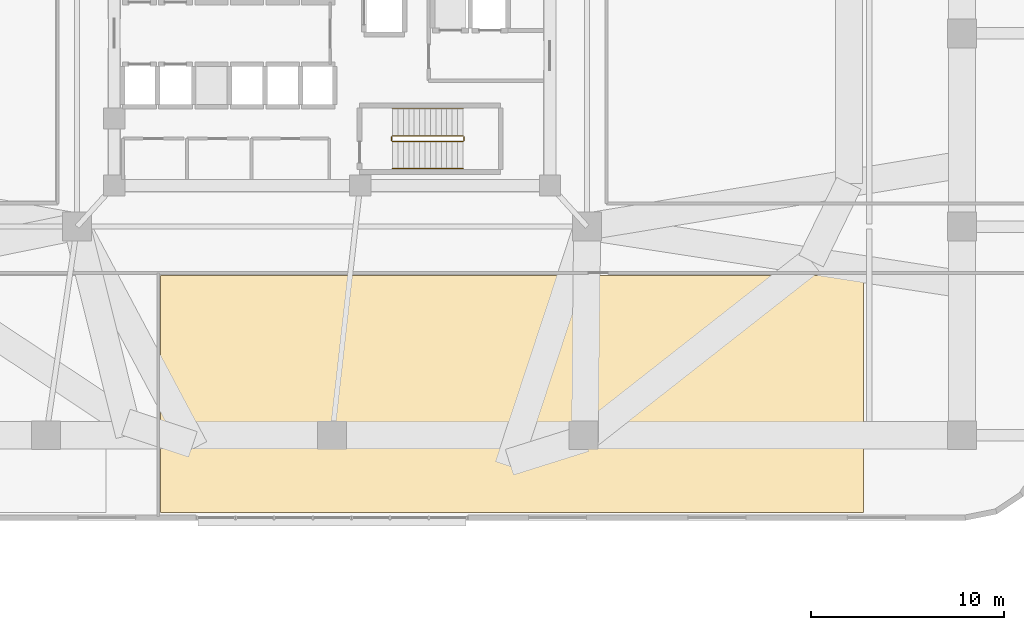
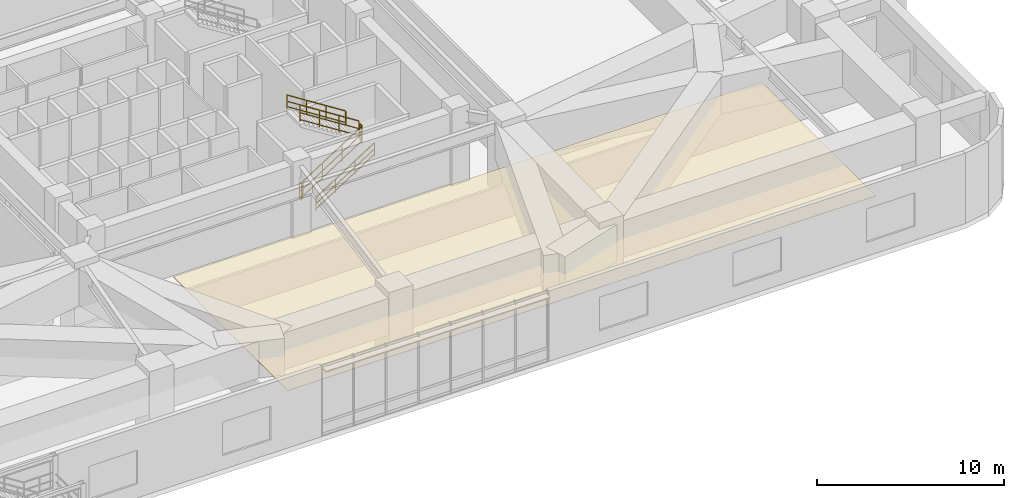
# One storey, part 23 of 26: 6 railings, 1 covering.
"""IFC4 building model written with IfcOpenShell, lengths in metres."""

import ifcopenshell
import ifcopenshell.guid

model = None  # the IFC model being written
_history = None  # IfcOwnerHistory: only IFC2X3 demands one
_inside = {}  # id of a spatial element -> (the spatial element, [elements in it])
_under = {}  # id of a project, library or spatial element -> (it, [spatial elements below it])
_declared = {}  # id of a project -> (the project, [libraries it declares])
_typed = {}  # id of a type object -> (the type object, [elements of that type])
_made_of = {}  # id of a material, layer set ... -> (it, [elements and type objects made of it])


def new_model(schema):
    """Start an empty IFC model of exactly this schema.

    Asked for "IFC4X3", IfcOpenShell would pick the latest addendum, in which some entities
    have other attributes; the version numbers below select the first issue.
    IFC2X3 requires an IfcOwnerHistory on every rooted entity: one is made here for all.
    """
    global model, _history
    if schema == "IFC4X3":
        model = ifcopenshell.file(schema_version=(4, 3, 0, 0))
    else:
        model = ifcopenshell.file(schema=schema)
    _inside.clear()
    _under.clear()
    _declared.clear()
    _typed.clear()
    _made_of.clear()
    _history = None
    if model.schema == "IFC2X3":
        org = make("IfcOrganization", Name="unknown")
        user = make(
            "IfcPersonAndOrganization",
            ThePerson=make("IfcPerson", FamilyName="unknown"),
            TheOrganization=org,
        )
        app = make(
            "IfcApplication",
            ApplicationDeveloper=org,
            Version="unknown",
            ApplicationFullName="unknown",
            ApplicationIdentifier="unknown",
        )
        _history = make(
            "IfcOwnerHistory",
            OwningUser=user,
            OwningApplication=app,
            ChangeAction="ADDED",
            CreationDate=0,
        )
    return model


def make(cls, **values):
    """One entity of the class cls with the attributes given. An attribute that is None is left unset."""
    return model.create_entity(
        cls, **{name: value for name, value in values.items() if value is not None}
    )


def rooted(cls, **values):
    """An entity with a GlobalId (a new one), such as an element, a storey or a relation."""
    return make(cls, GlobalId=ifcopenshell.guid.new(), OwnerHistory=_history, **values)


def si_unit(unit_type, name, prefix=None):
    """IfcSIUnit, for example si_unit("LENGTHUNIT", "METRE", prefix="MILLI")."""
    return make("IfcSIUnit", UnitType=unit_type, Prefix=prefix, Name=name)


def assignment(units):
    """IfcUnitAssignment: the units of a project."""
    return None if units is None else make("IfcUnitAssignment", Units=units)


def point(xyz):
    """IfcCartesianPoint."""
    return None if xyz is None else make("IfcCartesianPoint", Coordinates=xyz)


def direction(xyz):
    """IfcDirection."""
    return None if xyz is None else make("IfcDirection", DirectionRatios=xyz)


def frame(location, z_axis=None, x_axis=None):
    """IfcAxis2Placement3D, a coordinate frame: its origin and axes. An axis left out is left unset."""
    return make(
        "IfcAxis2Placement3D",
        Location=point(location),
        Axis=direction(z_axis),
        RefDirection=direction(x_axis),
    )


def frame_2d(location, x_axis=None):
    """IfcAxis2Placement2D, a coordinate frame in the plane: its origin and x axis."""
    return make(
        "IfcAxis2Placement2D", Location=point(location), RefDirection=direction(x_axis)
    )


def origin():
    """The frame at (0, 0, 0) with its axes left unset."""
    return frame((0.0, 0.0, 0.0))


def origin_2d():
    """The frame at (0, 0) in the plane with its x axis left unset."""
    return frame_2d((0.0, 0.0))


def place(relative_to, where):
    """IfcLocalPlacement: puts the frame where relative to a parent placement (None: the world)."""
    return make(
        "IfcLocalPlacement", PlacementRelTo=relative_to, RelativePlacement=where
    )


def context(
    kind, dimensions, precision=None, world=None, true_north=None, identifier=None
):
    """IfcGeometricRepresentationContext, for example the 3D "Model" context."""
    return make(
        "IfcGeometricRepresentationContext",
        ContextIdentifier=identifier,
        ContextType=kind,
        CoordinateSpaceDimension=dimensions,
        Precision=precision,
        WorldCoordinateSystem=world,
        TrueNorth=true_north,
    )


def subcontext(parent, identifier, kind, view, scale=None):
    """IfcGeometricRepresentationSubContext, for example "Body" below "Model"."""
    return make(
        "IfcGeometricRepresentationSubContext",
        ContextIdentifier=identifier,
        ContextType=kind,
        ParentContext=parent,
        TargetScale=scale,
        TargetView=view,
    )


def project(units=None, contexts=None):
    """IfcProject with its units and contexts."""
    return rooted(
        "IfcProject",
        Name="project",
        RepresentationContexts=contexts,
        UnitsInContext=assignment(units),
    )


def spatial(cls, under=None, at=None, **own):
    """A site, building, storey or space (cls), placed at a placement, below another one or the project."""
    s = rooted(cls, ObjectPlacement=at, **own)
    if under is not None:
        _under.setdefault(under.id(), (under, []))[1].append(s)
    return s


def polyline(points):
    """IfcPolyline through the points."""
    return make("IfcPolyline", Points=[point(p) for p in points])


def profile(cls, at=None, kind="AREA", **sizes):
    """A parametric profile (cls). Its sizes go by their IFC names, for example OverallWidth=200.0."""
    return make(cls, ProfileType=kind, Position=at, **sizes)


def rectangle(**sizes):
    """IfcRectangleProfileDef."""
    return profile("IfcRectangleProfileDef", **sizes)


def outline(outer, holes=None, kind="AREA"):
    """IfcArbitraryClosedProfileDef: a profile drawn as a closed curve; with holes, ...WithVoids."""
    if holes is None:
        return make("IfcArbitraryClosedProfileDef", ProfileType=kind, OuterCurve=outer)
    return make(
        "IfcArbitraryProfileDefWithVoids",
        ProfileType=kind,
        OuterCurve=outer,
        InnerCurves=holes,
    )


def extrude(swept, where, along, depth):
    """IfcExtrudedAreaSolid: the profile swept, set in the frame where, extruded along a direction by depth."""
    return make(
        "IfcExtrudedAreaSolid",
        SweptArea=swept,
        Position=where,
        ExtrudedDirection=direction(along),
        Depth=depth,
    )


def shape(context_of_items, identifier, shape_type, items):
    """IfcShapeRepresentation: the items that make up one representation, for example the "Body"."""
    return make(
        "IfcShapeRepresentation",
        ContextOfItems=context_of_items,
        RepresentationIdentifier=identifier,
        RepresentationType=shape_type,
        Items=items,
    )


def material(Name=None, Category=None):
    """IfcMaterial."""
    return make("IfcMaterial", Name=Name, Category=Category)


def layer(
    of_material, thickness, ventilated=None, Name=None, Category=None, Priority=None
):
    """IfcMaterialLayer: one layer of a wall or slab, of a material (None: an air gap)."""
    return make(
        "IfcMaterialLayer",
        Material=of_material,
        LayerThickness=thickness,
        IsVentilated=ventilated,
        Name=Name,
        Category=Category,
        Priority=Priority,
    )


def layer_set(layers, Name=None):
    """IfcMaterialLayerSet."""
    return make("IfcMaterialLayerSet", MaterialLayers=layers, LayerSetName=Name)


def made_of(thing, what):
    """Note that an element or type object is made of a material, layer set ...; save() writes the relation."""
    if what is not None:
        _made_of.setdefault(what.id(), (what, []))[1].append(thing)
    return thing


def type_object(cls, material=None, **own):
    """A type object (cls), such as IfcWallType, which elements share."""
    return made_of(rooted(cls, **own), material)


def element(
    cls,
    number,
    at=None,
    inside=None,
    cuts=None,
    type_object=None,
    material=None,
    context=None,
    identifier="Body",
    shape_type=None,
    held_by="IfcProductDefinitionShape",
    body=None,
    shapes=None,
    **own,
):
    """One element of the class cls, such as IfcWall. Its Tag is "e" and its number.

    at: its placement. inside: the storey or other place that contains it. cuts: it is an
    opening in that element (IfcRelVoidsElement). A single representation is given by context,
    identifier, shape_type and body (its items); several are given by shapes. held_by: the class
    of the entity that holds the representations. save() writes the other relations.
    """
    e = rooted(cls, Tag="e%d" % number, ObjectPlacement=at, **own)
    if body is not None:
        shapes = [shape(context, identifier, shape_type, body)]
    if shapes is not None:
        e.Representation = make(held_by, Representations=shapes)
    if inside is not None:
        _inside.setdefault(inside.id(), (inside, []))[1].append(e)
    if cuts is not None:
        rooted(
            "IfcRelVoidsElement", RelatingBuildingElement=cuts, RelatedOpeningElement=e
        )
    if type_object is not None:
        _typed.setdefault(type_object.id(), (type_object, []))[1].append(e)
    return made_of(e, material)


def aggregate(whole, parts):
    """IfcRelAggregates: a whole, such as a stair, and the parts it consists of."""
    return rooted("IfcRelAggregates", RelatingObject=whole, RelatedObjects=parts)


def save(model, path):
    """Write the relations noted so far, then the file.

    IfcRelAggregates (storeys below a building ...), IfcRelContainedInSpatialStructure (elements
    in a storey), IfcRelDefinesByType, IfcRelAssociatesMaterial and IfcRelDeclares: one each for
    every whole, place, type object, material and project.
    """
    for whole, parts in _under.values():
        aggregate(whole, parts)
    for where, things in _inside.values():
        rooted(
            "IfcRelContainedInSpatialStructure",
            RelatedElements=things,
            RelatingStructure=where,
        )
    for kind, things in _typed.values():
        rooted("IfcRelDefinesByType", RelatedObjects=things, RelatingType=kind)
    for what, things in _made_of.values():
        rooted("IfcRelAssociatesMaterial", RelatedObjects=things, RelatingMaterial=what)
    for by, libraries in _declared.values():
        rooted("IfcRelDeclares", RelatingContext=by, RelatedDefinitions=libraries)
    model.write(path)


model = new_model("IFC4")

# Units and contexts
model_context = context("Model", 3, precision=1e-05, world=origin(), true_north=direction((0.0, 1.0)))
body_context = subcontext(model_context, "Body", "Model", "MODEL_VIEW")
ifc_project = project(units=[si_unit("LENGTHUNIT", "METRE"), si_unit("AREAUNIT", "SQUARE_METRE"), si_unit("VOLUMEUNIT", "CUBIC_METRE"), si_unit("PLANEANGLEUNIT", "RADIAN"), si_unit("MASSUNIT", "GRAM", prefix="KILO")], contexts=[model_context])

# Site, building, storey
site_placement = place(None, origin())
site = spatial("IfcSite", under=ifc_project, at=site_placement, CompositionType="ELEMENT")
building_placement = place(site_placement, origin())
building = spatial("IfcBuilding", under=site, at=building_placement, Name="Zulverin Broadcast Headquarters", CompositionType="ELEMENT")
storey_placement = place(building_placement, frame((0.0, 0.0, 20.0)))
storey = spatial("IfcBuildingStorey", under=building, at=storey_placement, Name="L04", CompositionType="ELEMENT", Elevation=20.0)

# Covering
ifc_material_1 = material(Name="Perforated pale-metal acoustic baffle ceiling", Category="aluminium")
ifc_layer = layer(ifc_material_1, 0.0400390625, Name="Perforated pale-metal acoustic baffle ceiling", Category="aluminium")
ifc_layer_set = layer_set([ifc_layer], Name="Perforated pale-metal acoustic baffle ceiling")
covering_type = type_object("IfcCoveringType", Name="COV-CEIL-ACOU", PredefinedType="CEILING", material=ifc_layer_set)
covering_placement = place(storey_placement, frame((0.0, 0.0, 3.389892578125)))
element("IfcCovering", 1, at=covering_placement, inside=storey, type_object=covering_type, Name="L04 Acoustic Baffle Ceiling 02", PredefinedType="CEILING", context=body_context, shape_type="SweptSolid", body=[
    extrude(outline(polyline([(28.1201171875, 12.679931640625), (28.1201171875, 0.39990234375), (64.5, 0.39990234375), (64.5, 12.679931640625), (28.1201171875, 12.679931640625)])), origin(), (0.0, 0.0, 1.0), 0.0400390625),
])

# Railings
ifc_material_2 = material(Name="Painted galvanized steel tubular guardrail S355JR", Category="steel")
railing_type_1 = type_object("IfcRailingType", Name="RL-ST-GUARD", PredefinedType="GUARDRAIL", material=ifc_material_2)
railing_1_placement = place(storey_placement, frame((40.1298828125, 19.60009765625, 0.178466796875)))
element("IfcRailing", 2, at=railing_1_placement, inside=storey, type_object=railing_type_1, Name="L04 ST-2 stair guard 1", PredefinedType="GUARDRAIL", context=body_context, shape_type="SweptSolid", body=[
    extrude(rectangle(XDim=0.048095703125, YDim=0.048095703125, at=origin_2d()), frame((0.0, 0.0, 1.076171875), z_axis=(0.843127859045, 0.0, 0.537713132908), x_axis=(0.0, 1.0, 0.0)), (0.0, 0.0, 1.0), 4.3173828125),
    extrude(rectangle(XDim=0.0419921875, YDim=0.0419921875, at=origin_2d()), frame((0.0, 0.0, 0.572021484375), z_axis=(0.843127859045, 0.0, 0.537713132908), x_axis=(0.0, 1.0, 0.0)), (0.0, 0.0, 1.0), 4.3173828125),
    extrude(rectangle(XDim=0.0419921875, YDim=0.0419921875, at=origin_2d()), frame((0.0, 0.0, 0.1201171875), z_axis=(0.843127859045, 0.0, 0.537713132908), x_axis=(0.0, 1.0, 0.0)), (0.0, 0.0, 1.0), 4.3173828125),
    extrude(rectangle(XDim=0.0419921875, YDim=0.0419921875, at=origin_2d()), origin(), (0.0, 0.0, 1.0), 1.052001953125),
    extrude(rectangle(XDim=0.0419921875, YDim=0.0419921875, at=origin_2d()), frame((1.21337890625, 0.0, 0.77392578125)), (0.0, 0.0, 1.0), 1.052001953125),
    extrude(rectangle(XDim=0.0419921875, YDim=0.0419921875, at=origin_2d()), frame((2.4267578125, 0.0, 1.547607421875)), (0.0, 0.0, 1.0), 1.052001953125),
    extrude(rectangle(XDim=0.0419921875, YDim=0.0419921875, at=origin_2d()), frame((3.64013671875, 0.0, 2.321533203125)), (0.0, 0.0, 1.0), 1.052001953125),
])
railing_2_placement = place(storey_placement, frame((43.820068359375, 19.64990234375, 2.5)))
element("IfcRailing", 3, at=railing_2_placement, inside=storey, type_object=railing_type_1, Name="L04 ST-2 stair guard 2", PredefinedType="GUARDRAIL", context=body_context, shape_type="SweptSolid", body=[
    extrude(rectangle(XDim=0.048095703125, YDim=0.048095703125, at=origin_2d()), frame((0.0, 0.0, 1.076171875), z_axis=(0.0, 1.0, 0.0), x_axis=(-1.0, 0.0, 0.0)), (0.0, 0.0, 1.0), 0.2001953125),
    extrude(rectangle(XDim=0.0419921875, YDim=0.0419921875, at=origin_2d()), frame((0.0, 0.0, 0.572021484375), z_axis=(0.0, 1.0, 0.0), x_axis=(-1.0, 0.0, 0.0)), (0.0, 0.0, 1.0), 0.2001953125),
    extrude(rectangle(XDim=0.0419921875, YDim=0.0419921875, at=origin_2d()), frame((0.0, 0.0, 0.1201171875), z_axis=(0.0, 1.0, 0.0), x_axis=(-1.0, 0.0, 0.0)), (0.0, 0.0, 1.0), 0.2001953125),
    extrude(rectangle(XDim=0.0419921875, YDim=0.0419921875, at=origin_2d()), origin(), (0.0, 0.0, 1.0), 1.052001953125),
    extrude(rectangle(XDim=0.0419921875, YDim=0.0419921875, at=origin_2d()), frame((0.0, 0.2001953125, 0.0)), (0.0, 0.0, 1.0), 1.052001953125),
])
railing_3_placement = place(storey_placement, frame((43.77001953125, 19.89990234375, 2.678466796875)))
element("IfcRailing", 4, at=railing_3_placement, inside=storey, type_object=railing_type_1, Name="L04 ST-2 stair guard 3", PredefinedType="GUARDRAIL", context=body_context, shape_type="SweptSolid", body=[
    extrude(rectangle(XDim=0.048095703125, YDim=0.048095703125, at=origin_2d()), frame((0.0, 0.0, 1.076171875), z_axis=(-0.843127859045, 0.0, 0.537713132908), x_axis=(0.0, -1.0, 0.0)), (0.0, 0.0, 1.0), 4.3173828125),
    extrude(rectangle(XDim=0.0419921875, YDim=0.0419921875, at=origin_2d()), frame((0.0, 0.0, 0.572021484375), z_axis=(-0.843127859045, 0.0, 0.537713132908), x_axis=(0.0, -1.0, 0.0)), (0.0, 0.0, 1.0), 4.3173828125),
    extrude(rectangle(XDim=0.0419921875, YDim=0.0419921875, at=origin_2d()), frame((0.0, 0.0, 0.1201171875), z_axis=(-0.843127859045, 0.0, 0.537713132908), x_axis=(0.0, -1.0, 0.0)), (0.0, 0.0, 1.0), 4.3173828125),
    extrude(rectangle(XDim=0.0419921875, YDim=0.0419921875, at=origin_2d()), origin(), (0.0, 0.0, 1.0), 1.052001953125),
    extrude(rectangle(XDim=0.0419921875, YDim=0.0419921875, at=origin_2d()), frame((-1.21337890625, 0.0, 0.77392578125)), (0.0, 0.0, 1.0), 1.052001953125),
    extrude(rectangle(XDim=0.0419921875, YDim=0.0419921875, at=origin_2d()), frame((-2.4267578125, 0.0, 1.547607421875)), (0.0, 0.0, 1.0), 1.052001953125),
    extrude(rectangle(XDim=0.0419921875, YDim=0.0419921875, at=origin_2d()), frame((-3.64013671875, 0.0, 2.321533203125)), (0.0, 0.0, 1.0), 1.052001953125),
])
railing_4_placement = place(storey_placement, frame((40.080078125, 19.64990234375, 0.0)))
element("IfcRailing", 5, at=railing_4_placement, inside=storey, type_object=railing_type_1, Name="L04 ST-2 stair guard 4", PredefinedType="GUARDRAIL", context=body_context, shape_type="SweptSolid", body=[
    extrude(rectangle(XDim=0.048095703125, YDim=0.048095703125, at=origin_2d()), frame((0.0, 0.0, 1.076171875), z_axis=(0.0, 1.0, 0.0), x_axis=(-1.0, 0.0, 0.0)), (0.0, 0.0, 1.0), 0.2001953125),
    extrude(rectangle(XDim=0.0419921875, YDim=0.0419921875, at=origin_2d()), frame((0.0, 0.0, 0.572021484375), z_axis=(0.0, 1.0, 0.0), x_axis=(-1.0, 0.0, 0.0)), (0.0, 0.0, 1.0), 0.2001953125),
    extrude(rectangle(XDim=0.0419921875, YDim=0.0419921875, at=origin_2d()), frame((0.0, 0.0, 0.1201171875), z_axis=(0.0, 1.0, 0.0), x_axis=(-1.0, 0.0, 0.0)), (0.0, 0.0, 1.0), 0.2001953125),
    extrude(rectangle(XDim=0.0419921875, YDim=0.0419921875, at=origin_2d()), origin(), (0.0, 0.0, 1.0), 1.052001953125),
    extrude(rectangle(XDim=0.0419921875, YDim=0.0419921875, at=origin_2d()), frame((0.0, 0.2001953125, 0.0)), (0.0, 0.0, 1.0), 1.052001953125),
])
ifc_material_3 = material(Name="Brushed stainless steel 48 mm handrail", Category="steel")
railing_type_2 = type_object("IfcRailingType", Name="RL-ST-HAND", PredefinedType="HANDRAIL", material=ifc_material_3)
railing_5_placement = place(storey_placement, frame((40.1298828125, 18.199951171875, 0.178466796875)))
element("IfcRailing", 6, at=railing_5_placement, inside=storey, type_object=railing_type_2, Name="L04 ST-2 stair handrail 1", PredefinedType="HANDRAIL", context=body_context, shape_type="SweptSolid", body=[
    extrude(rectangle(XDim=0.048095703125, YDim=0.048095703125, at=origin_2d()), frame((0.0, 0.0, 0.8759765625), z_axis=(0.843127859045, 0.0, 0.537713132908), x_axis=(0.0, 1.0, 0.0)), (0.0, 0.0, 1.0), 4.3173828125),
    extrude(rectangle(XDim=0.0419921875, YDim=0.0419921875, at=origin_2d()), frame((0.0, 0.0, 0.468017578125), z_axis=(0.843127859045, 0.0, 0.537713132908), x_axis=(0.0, 1.0, 0.0)), (0.0, 0.0, 1.0), 4.3173828125),
    extrude(rectangle(XDim=0.0419921875, YDim=0.0419921875, at=origin_2d()), frame((0.0, 0.0, 0.1201171875), z_axis=(0.843127859045, 0.0, 0.537713132908), x_axis=(0.0, 1.0, 0.0)), (0.0, 0.0, 1.0), 4.3173828125),
    extrude(rectangle(XDim=0.0419921875, YDim=0.0419921875, at=origin_2d()), origin(), (0.0, 0.0, 1.0), 0.851806640625),
    extrude(rectangle(XDim=0.0419921875, YDim=0.0419921875, at=origin_2d()), frame((1.21337890625, 0.0, 0.77392578125)), (0.0, 0.0, 1.0), 0.851806640625),
    extrude(rectangle(XDim=0.0419921875, YDim=0.0419921875, at=origin_2d()), frame((2.4267578125, 0.0, 1.547607421875)), (0.0, 0.0, 1.0), 0.851806640625),
    extrude(rectangle(XDim=0.0419921875, YDim=0.0419921875, at=origin_2d()), frame((3.64013671875, 0.0, 2.321533203125)), (0.0, 0.0, 1.0), 0.851806640625),
])
railing_6_placement = place(storey_placement, frame((43.77001953125, 21.300048828125, 2.678466796875)))
element("IfcRailing", 7, at=railing_6_placement, inside=storey, type_object=railing_type_2, Name="L04 ST-2 stair handrail 2", PredefinedType="HANDRAIL", context=body_context, shape_type="SweptSolid", body=[
    extrude(rectangle(XDim=0.048095703125, YDim=0.048095703125, at=origin_2d()), frame((0.0, 0.0, 0.8759765625), z_axis=(-0.843127859045, 0.0, 0.537713132908), x_axis=(0.0, -1.0, 0.0)), (0.0, 0.0, 1.0), 4.3173828125),
    extrude(rectangle(XDim=0.0419921875, YDim=0.0419921875, at=origin_2d()), frame((0.0, 0.0, 0.468017578125), z_axis=(-0.843127859045, 0.0, 0.537713132908), x_axis=(0.0, -1.0, 0.0)), (0.0, 0.0, 1.0), 4.3173828125),
    extrude(rectangle(XDim=0.0419921875, YDim=0.0419921875, at=origin_2d()), frame((0.0, 0.0, 0.1201171875), z_axis=(-0.843127859045, 0.0, 0.537713132908), x_axis=(0.0, -1.0, 0.0)), (0.0, 0.0, 1.0), 4.3173828125),
    extrude(rectangle(XDim=0.0419921875, YDim=0.0419921875, at=origin_2d()), origin(), (0.0, 0.0, 1.0), 0.851806640625),
    extrude(rectangle(XDim=0.0419921875, YDim=0.0419921875, at=origin_2d()), frame((-1.21337890625, 0.0, 0.77392578125)), (0.0, 0.0, 1.0), 0.851806640625),
    extrude(rectangle(XDim=0.0419921875, YDim=0.0419921875, at=origin_2d()), frame((-2.4267578125, 0.0, 1.547607421875)), (0.0, 0.0, 1.0), 0.851806640625),
    extrude(rectangle(XDim=0.0419921875, YDim=0.0419921875, at=origin_2d()), frame((-3.64013671875, 0.0, 2.321533203125)), (0.0, 0.0, 1.0), 0.851806640625),
])

save(model, "model.ifc")
